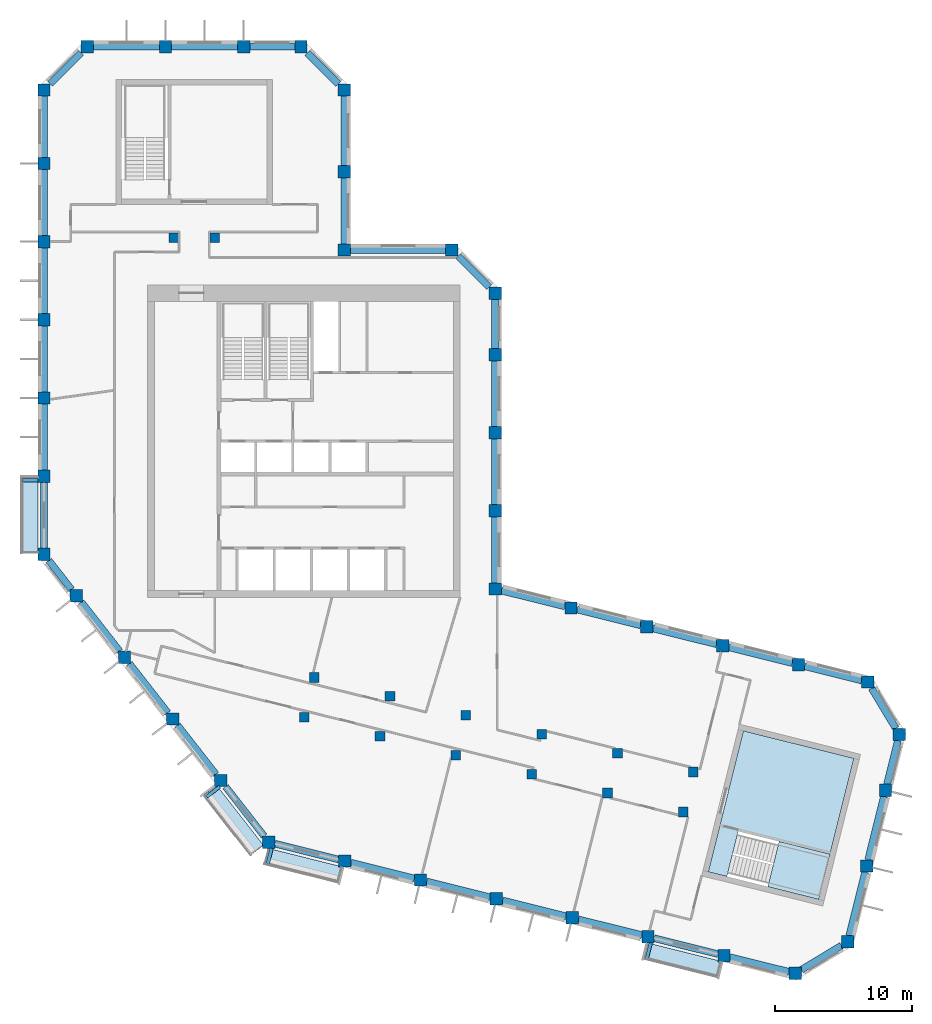
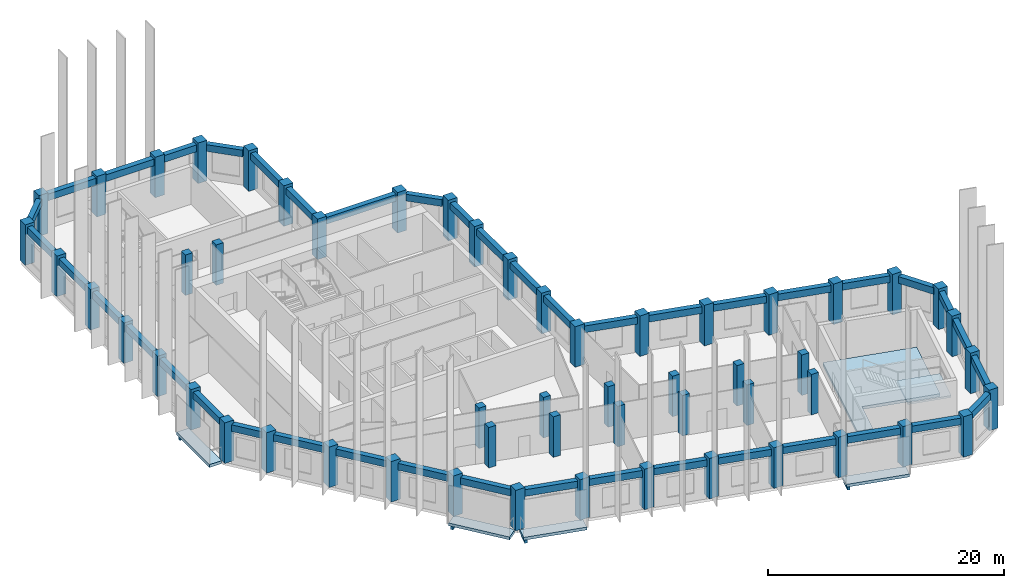
# One storey, part 1 of 8: 55 columns, 45 beams, 6 slabs, 1 element without a shape of its own.
"""IFC4 building model written with IfcOpenShell, lengths in metres."""

from ifc_helpers import new_model, si_unit, direction, frame, origin, origin_2d, place, context, subcontext, project, spatial, polyline, rectangle, outline, extrude, material, layer, layer_set, material_profile, profile_set, type_object, element, aggregate, save


model = new_model("IFC4")

# Units and contexts
model_context = context("Model", 3, precision=1e-05, world=origin(), true_north=direction((0.0, 1.0)))
body_context = subcontext(model_context, "Body", "Model", "MODEL_VIEW")
ifc_project = project(units=[si_unit("LENGTHUNIT", "METRE"), si_unit("AREAUNIT", "SQUARE_METRE"), si_unit("VOLUMEUNIT", "CUBIC_METRE"), si_unit("PLANEANGLEUNIT", "RADIAN"), si_unit("MASSUNIT", "GRAM", prefix="KILO")], contexts=[model_context])

# Site, building, storey
site_placement = place(None, origin())
site = spatial("IfcSite", under=ifc_project, at=site_placement, CompositionType="ELEMENT")
building_placement = place(site_placement, origin())
building = spatial("IfcBuilding", under=site, at=building_placement, Name="Meshkara Civic Tower", CompositionType="ELEMENT")
storey_placement = place(building_placement, frame((0.0, 0.0, 354.0)))
storey = spatial("IfcBuildingStorey", under=building, at=storey_placement, Name="L81", CompositionType="ELEMENT", Elevation=354.0)

# Columns
ifc_material_1 = material(Name="Concrete C50", Category="concrete")
ifc_material_profile_1 = material_profile(ifc_material_1, rectangle(XDim=0.699951171875, YDim=0.699951171875, at=origin_2d()))
ifc_profile_set_1 = profile_set([ifc_material_profile_1], Name="Concrete C50")
column_type_1 = type_object("IfcColumnType", Name="Interior column RC 700x700 C50", PredefinedType="COLUMN", material=ifc_profile_set_1)
for number, where, z_axis, x_axis, name in (
    (1, (9.89990234375, 40.35009765625, 0.0), (0.0, 0.0, 1.0), (1.0, 0.0, 0.0), "Column SA1-04 L81"),
    (2, (12.89990234375, 40.35009765625, 0.0), (0.0, 0.0, 1.0), (1.0, 0.0, 0.0), "Column SA2-04 L81"),
    (3, (19.424072265625, 5.360107421875, 0.0), (0.0, 0.0, 1.0), (1.0, 0.0, 0.0), "Column SB1-00 L81"),
    (4, (24.9541015625, 3.98095703125, 0.0), (0.0, 0.0, 1.0), (1.0, 0.0, 0.0), "Column SB1-01 L81"),
    (5, (30.485107421875, 2.60205078125, 0.0), (0.0, 0.0, 1.0), (1.0, 0.0, 0.0), "Column SB1-02 L81"),
    (6, (36.01611328125, 1.222900390625, 0.0), (0.0, 0.0, 1.0), (1.0, 0.0, 0.0), "Column SB1-03 L81"),
    (7, (41.5458984375, -0.156005859375, 0.0), (0.0, 0.0, 1.0), (1.0, 0.0, 0.0), "Column SB1-04 L81"),
    (8, (47.076904296875, -1.534912109375, 0.0), (0.0, 0.0, 1.0), (1.0, 0.0, 0.0), "Column SB1-05 L81"),
    (9, (20.14892578125, 8.27099609375, 0.0), (0.0, 0.0, 1.0), (1.0, 0.0, 0.0), "Column SB2-00 L81"),
    (10, (25.679931640625, 6.89208984375, 0.0), (0.0, 0.0, 1.0), (1.0, 0.0, 0.0), "Column SB2-01 L81"),
    (11, (31.2109375, 5.512939453125, 0.0), (0.0, 0.0, 1.0), (1.0, 0.0, 0.0), "Column SB2-02 L81"),
    (12, (36.741943359375, 4.134033203125, 0.0), (0.0, 0.0, 1.0), (1.0, 0.0, 0.0), "Column SB2-03 L81"),
    (13, (42.27197265625, 2.7548828125, 0.0), (0.0, 0.0, 1.0), (1.0, 0.0, 0.0), "Column SB2-04 L81"),
    (14, (47.802978515625, 1.3759765625, 0.0), (0.0, 0.0, 1.0), (1.0, 0.0, 0.0), "Column SB2-05 L81"),
):
    element("IfcColumn", number, at=place(storey_placement, frame(where, z_axis=z_axis, x_axis=x_axis)), inside=storey, type_object=column_type_1, Name=name, PredefinedType="COLUMN", context=body_context, shape_type="SweptSolid", body=[
        extrude(rectangle(XDim=0.699951171875, YDim=0.699951171875, at=origin_2d()), origin(), (0.0, 0.0, 1.0), 4.199951171875),
    ])
ifc_material_2 = material(Name="Concrete C50", Category="concrete")
ifc_material_profile_2 = material_profile(ifc_material_2, rectangle(XDim=0.89990234375, YDim=0.89990234375, at=origin_2d()))
ifc_profile_set_2 = profile_set([ifc_material_profile_2], Name="Concrete C50")
column_type_2 = type_object("IfcColumnType", Name="Perimeter column RC 900x900 C50", PredefinedType="COLUMN", material=ifc_profile_set_2)
for number, where, z_axis, x_axis, name in (
    (15, (33.35009765625, 14.718994140625, 0.0), (0.0, 0.0, 1.0), (1.0, 0.0, 0.0), "Column HE00 L81"),
    (16, (33.35009765625, 20.4189453125, 0.0), (0.0, 0.0, 1.0), (1.0, 0.0, 0.0), "Column HE01 L81"),
    (17, (33.35009765625, 26.118896484375, 0.0), (0.0, 0.0, 1.0), (1.0, 0.0, 0.0), "Column HE02 L81"),
    (18, (33.35009765625, 31.819091796875, 0.0), (0.0, 0.0, 1.0), (1.0, 0.0, 0.0), "Column HE03 L81"),
    (19, (33.35009765625, 36.2939453125, 0.0), (0.0, 0.0, 1.0), (1.0, 0.0, 0.0), "Column HEE L81"),
    (20, (30.194091796875, 39.449951171875, 0.0), (0.0, 0.0, 1.0), (1.0, 0.0, 0.0), "Column HCeE L81"),
    (21, (22.35009765625, 39.449951171875, 0.0), (0.0, 0.0, 1.0), (1.0, 0.0, 0.0), "Column HN00 L81"),
    (22, (22.35009765625, 45.14990234375, 0.0), (0.0, 0.0, 1.0), (1.0, 0.0, 0.0), "Column AE01 L81"),
    (23, (22.35009765625, 51.114013671875, 0.0), (0.0, 0.0, 1.0), (1.0, 0.0, 0.0), "Column AEEP5 L81"),
    (24, (19.194091796875, 54.27001953125, 0.0), (0.0, 0.0, 1.0), (1.0, 0.0, 0.0), "Column ATiEP5 L81"),
    (25, (3.60595703125, 54.27001953125, 0.0), (0.0, 0.0, 1.0), (1.0, 0.0, 0.0), "Column AT00-P5 L81"),
    (26, (9.305908203125, 54.27001953125, 0.0), (0.0, 0.0, 1.0), (1.0, 0.0, 0.0), "Column AT01-P5 L81"),
    (27, (15.006103515625, 54.27001953125, 0.0), (0.0, 0.0, 1.0), (1.0, 0.0, 0.0), "Column AT02-P5 L81"),
    (28, (0.449951171875, 51.114013671875, 0.0), (0.0, 0.0, 1.0), (1.0, 0.0, 0.0), "Column ATo00-P5 L81"),
    (29, (0.449951171875, 17.2548828125, 0.0), (0.0, 0.0, 1.0), (1.0, 0.0, 0.0), "Column AW00 L81"),
    (30, (0.449951171875, 22.955078125, 0.0), (0.0, 0.0, 1.0), (1.0, 0.0, 0.0), "Column AW01 L81"),
    (31, (0.449951171875, 28.655029296875, 0.0), (0.0, 0.0, 1.0), (1.0, 0.0, 0.0), "Column AW02 L81"),
    (32, (0.449951171875, 34.35498046875, 0.0), (0.0, 0.0, 1.0), (1.0, 0.0, 0.0), "Column AW03 L81"),
    (33, (0.449951171875, 40.054931640625, 0.0), (0.0, 0.0, 1.0), (1.0, 0.0, 0.0), "Column AW04 L81"),
    (34, (0.449951171875, 45.7548828125, 0.0), (0.0, 0.0, 1.0), (1.0, 0.0, 0.0), "Column AW05 L81"),
    (35, (16.85107421875, -3.738037109375, 0.0), (0.0, 0.0, 1.0), (1.0, 0.0, 0.0), "Column BOW00 L81"),
    (36, (13.342041015625, 0.75390625, 0.0), (0.0, 0.0, 1.0), (1.0, 0.0, 0.0), "Column BOW01 L81"),
    (37, (9.8330078125, 5.2451171875, 0.0), (0.0, 0.0, 1.0), (1.0, 0.0, 0.0), "Column BOW02 L81"),
    (38, (6.322998046875, 9.737060546875, 0.0), (0.0, 0.0, 1.0), (1.0, 0.0, 0.0), "Column BOW03 L81"),
    (39, (2.81396484375, 14.22900390625, 0.0), (0.0, 0.0, 1.0), (1.0, 0.0, 0.0), "Column BOW04 L81"),
    (40, (22.382080078125, -5.116943359375, 0.0), (0.0, 0.0, 1.0), (1.0, 0.0, 0.0), "Column BS01 L81"),
    (41, (27.912109375, -6.49609375, 0.0), (0.0, 0.0, 1.0), (1.0, 0.0, 0.0), "Column BS02 L81"),
    (42, (33.443115234375, -7.875, 0.0), (0.0, 0.0, 1.0), (1.0, 0.0, 0.0), "Column BS03 L81"),
    (43, (38.97412109375, -9.25390625, 0.0), (0.0, 0.0, 1.0), (1.0, 0.0, 0.0), "Column BS04 L81"),
    (44, (44.50390625, -10.633056640625, 0.0), (0.0, 0.0, 1.0), (1.0, 0.0, 0.0), "Column BS05-P4 L81"),
    (45, (50.034912109375, -12.011962890625, 0.0), (0.0, 0.0, 1.0), (1.0, 0.0, 0.0), "Column BS06-P4 L81"),
    (46, (55.235107421875, -13.30810546875, 0.0), (0.0, 0.0, 1.0), (1.0, 0.0, 0.0), "Column BSEP5 L81"),
    (47, (59.06103515625, -11.009033203125, 0.0), (0.0, 0.0, 1.0), (1.0, 0.0, 0.0), "Column BToEP5 L81"),
    (48, (60.43994140625, -5.47802734375, 0.0), (0.0, 0.0, 1.0), (1.0, 0.0, 0.0), "Column BT01-P5 L81"),
    (49, (61.819091796875, 0.052001953125, 0.0), (0.0, 0.0, 1.0), (1.0, 0.0, 0.0), "Column BT02-P5 L81"),
    (50, (62.83203125, 4.114990234375, 0.0), (0.0, 0.0, 1.0), (1.0, 0.0, 0.0), "Column BTEP5 L81"),
    (51, (60.532958984375, 7.94091796875, 0.0), (0.0, 0.0, 1.0), (1.0, 0.0, 0.0), "Column BTi00-P5 L81"),
    (52, (38.881103515625, 13.340087890625, 0.0), (0.0, 0.0, 1.0), (1.0, 0.0, 0.0), "Column BN01 L81"),
    (53, (44.410888671875, 11.9609375, 0.0), (0.0, 0.0, 1.0), (1.0, 0.0, 0.0), "Column BN02 L81"),
    (54, (49.94189453125, 10.58203125, 0.0), (0.0, 0.0, 1.0), (1.0, 0.0, 0.0), "Column BN03 L81"),
    (55, (55.472900390625, 9.202880859375, 0.0), (0.0, 0.0, 1.0), (1.0, 0.0, 0.0), "Column BN04 L81"),
):
    element("IfcColumn", number, at=place(storey_placement, frame(where, z_axis=z_axis, x_axis=x_axis)), inside=storey, type_object=column_type_2, Name=name, PredefinedType="COLUMN", context=body_context, shape_type="SweptSolid", body=[
        extrude(rectangle(XDim=0.89990234375, YDim=0.89990234375, at=origin_2d()), origin(), (0.0, 0.0, 1.0), 4.199951171875),
    ])

# Beams
ifc_material_3 = material(Name="Concrete C50", Category="concrete")
ifc_material_profile_3 = material_profile(ifc_material_3, rectangle(XDim=0.25, YDim=0.39990234375, at=origin_2d()))
ifc_profile_set_3 = profile_set([ifc_material_profile_3], Name="Concrete C50")
beam_type_1 = type_object("IfcBeamType", Name="Balcony bracket beam RC 250x400 C50", PredefinedType="BEAM", material=ifc_profile_set_3)
beam_1_placement = place(storey_placement, frame((0.0048828125, 22.655029296875, -0.5), z_axis=(-1.0, 0.0, 0.0), x_axis=(0.0, -1.0, 0.0)))
element("IfcBeam", 56, at=beam_1_placement, inside=storey, type_object=beam_type_1, Name="Balcony bracket beam", PredefinedType="BEAM", context=body_context, shape_type="SweptSolid", body=[
    extrude(rectangle(XDim=0.25, YDim=0.39990234375, at=origin_2d()), origin(), (0.0, 0.0, 1.0), 1.10498046875),
])
beam_2_placement = place(storey_placement, frame((13.257080078125, 0.306884765625, -0.5), z_axis=(-0.788012120422, -0.615659725878, 0.0), x_axis=(0.615659725878, -0.788012120422, 0.0)))
element("IfcBeam", 57, at=beam_2_placement, inside=storey, type_object=beam_type_1, Name="Balcony bracket beam", PredefinedType="BEAM", context=body_context, shape_type="SweptSolid", body=[
    extrude(rectangle(XDim=0.25, YDim=0.39990234375, at=origin_2d()), origin(), (0.0, 0.0, 1.0), 1.208251953125),
])
beam_3_placement = place(storey_placement, frame((17.049072265625, -4.18310546875, -0.5), z_axis=(-0.241944119929, -0.970290184858, 0.0), x_axis=(0.970290184858, -0.241944119929, 0.0)))
element("IfcBeam", 58, at=beam_3_placement, inside=storey, type_object=beam_type_1, Name="Balcony bracket beam", PredefinedType="BEAM", context=body_context, shape_type="SweptSolid", body=[
    extrude(rectangle(XDim=0.25, YDim=0.39990234375, at=origin_2d()), origin(), (0.0, 0.0, 1.0), 1.16552734375),
])
beam_4_placement = place(storey_placement, frame((44.701904296875, -11.077880859375, -0.5), z_axis=(-0.241894953997, -0.970302443175, 0.0), x_axis=(0.970302443175, -0.241894953997, 0.0)))
element("IfcBeam", 59, at=beam_4_placement, inside=storey, type_object=beam_type_1, Name="Balcony bracket beam", PredefinedType="BEAM", context=body_context, shape_type="SweptSolid", body=[
    extrude(rectangle(XDim=0.25, YDim=0.39990234375, at=origin_2d()), origin(), (0.0, 0.0, 1.0), 1.165771484375),
])
ifc_material_4 = material(Name="Concrete C50", Category="concrete")
ifc_material_profile_4 = material_profile(ifc_material_4, rectangle(XDim=0.5, YDim=0.699951171875, at=origin_2d()))
ifc_profile_set_4 = profile_set([ifc_material_profile_4], Name="Concrete C50")
beam_type_2 = type_object("IfcBeamType", Name="Spandrel beam RC 500x700 C50", PredefinedType="BEAM", material=ifc_profile_set_4)
for number, where, z_axis, x_axis, name in (
    (60, (55.02783203125, 9.31396484375, 3.550048828125), (-0.970298442389, 0.241911001604, 0.0), (-0.241911001604, -0.970298442389, 0.0), "Spandrel beam BN03-BN04"),
    (61, (49.496826171875, 10.693115234375, 3.550048828125), (-0.970298442389, 0.241911001604, 0.0), (-0.241911001604, -0.970298442389, 0.0), "Spandrel beam BN02-BN03"),
):
    element("IfcBeam", number, at=place(storey_placement, frame(where, z_axis=z_axis, x_axis=x_axis)), inside=storey, type_object=beam_type_2, Name=name, PredefinedType="BEAM", context=body_context, shape_type="SweptSolid", body=[
        extrude(rectangle(XDim=0.5, YDim=0.699951171875, at=origin_2d()), origin(), (0.0, 0.0, 1.0), 4.78271484375),
    ])
beam_5_placement = place(storey_placement, frame((43.9658203125, 12.072021484375, 3.550048828125), z_axis=(-0.970286489601, 0.241958938867, 0.0), x_axis=(-0.241958938867, -0.970286489601, 0.0)))
element("IfcBeam", 62, at=beam_5_placement, inside=storey, type_object=beam_type_2, Name="Spandrel beam BN01-BN02", PredefinedType="BEAM", context=body_context, shape_type="SweptSolid", body=[
    extrude(rectangle(XDim=0.5, YDim=0.699951171875, at=origin_2d()), origin(), (0.0, 0.0, 1.0), 4.78173828125),
])
beam_6_placement = place(storey_placement, frame((38.435791015625, 13.450927734375, 3.550048828125), z_axis=(-0.970298442389, 0.241911001604, 0.0), x_axis=(-0.241911001604, -0.970298442389, 0.0)))
element("IfcBeam", 63, at=beam_6_placement, inside=storey, type_object=beam_type_2, Name="Spandrel beam BN01-HE00", PredefinedType="BEAM", context=body_context, shape_type="SweptSolid", body=[
    extrude(rectangle(XDim=0.5, YDim=0.699951171875, at=origin_2d()), origin(), (0.0, 0.0, 1.0), 4.78271484375),
])
for number, where, z_axis, x_axis, name in (
    (64, (33.35009765625, 15.1640625, 3.550048828125), (0.0, 1.0, 0.0), (-1.0, 0.0, 0.0), "Spandrel beam HE00-HE01"),
    (65, (33.35009765625, 20.864013671875, 3.550048828125), (0.0, 1.0, 0.0), (-1.0, 0.0, 0.0), "Spandrel beam HE01-HE02"),
    (66, (33.35009765625, 26.56396484375, 3.550048828125), (0.0, 1.0, 0.0), (-1.0, 0.0, 0.0), "Spandrel beam HE02-HE03"),
):
    element("IfcBeam", number, at=place(storey_placement, frame(where, z_axis=z_axis, x_axis=x_axis)), inside=storey, type_object=beam_type_2, Name=name, PredefinedType="BEAM", context=body_context, shape_type="SweptSolid", body=[
        extrude(rectangle(XDim=0.5, YDim=0.699951171875, at=origin_2d()), origin(), (0.0, 0.0, 1.0), 4.81005859375),
    ])
beam_7_placement = place(storey_placement, frame((33.35009765625, 32.263916015625, 3.550048828125), z_axis=(0.0, 1.0, 0.0), x_axis=(-1.0, 0.0, 0.0)))
element("IfcBeam", 67, at=beam_7_placement, inside=storey, type_object=beam_type_2, Name="Spandrel beam HE03-HEE", PredefinedType="BEAM", context=body_context, shape_type="SweptSolid", body=[
    extrude(rectangle(XDim=0.5, YDim=0.699951171875, at=origin_2d()), origin(), (0.0, 0.0, 1.0), 3.585205078125),
])
beam_8_placement = place(storey_placement, frame((32.903564453125, 36.740478515625, 3.550048828125), z_axis=(-0.707144921739, 0.707068638576, 0.0), x_axis=(-0.707068638576, -0.707144921739, 0.0)))
element("IfcBeam", 68, at=beam_8_placement, inside=storey, type_object=beam_type_2, Name="Spandrel beam HCeE-HEE", PredefinedType="BEAM", context=body_context, shape_type="SweptSolid", body=[
    extrude(rectangle(XDim=0.5, YDim=0.699951171875, at=origin_2d()), origin(), (0.0, 0.0, 1.0), 3.200439453125),
])
beam_9_placement = place(storey_placement, frame((29.7490234375, 39.449951171875, 3.550048828125), z_axis=(-1.0, 0.0, 0.0), x_axis=(0.0, -1.0, 0.0)))
element("IfcBeam", 69, at=beam_9_placement, inside=storey, type_object=beam_type_2, Name="Spandrel beam HCeE-HN00", PredefinedType="BEAM", context=body_context, shape_type="SweptSolid", body=[
    extrude(rectangle(XDim=0.5, YDim=0.699951171875, at=origin_2d()), origin(), (0.0, 0.0, 1.0), 6.9541015625),
])
beam_10_placement = place(storey_placement, frame((22.35009765625, 39.89501953125, 3.550048828125), z_axis=(0.0, 1.0, 0.0), x_axis=(-1.0, 0.0, 0.0)))
element("IfcBeam", 70, at=beam_10_placement, inside=storey, type_object=beam_type_2, Name="Spandrel beam AE01-HN00", PredefinedType="BEAM", context=body_context, shape_type="SweptSolid", body=[
    extrude(rectangle(XDim=0.5, YDim=0.699951171875, at=origin_2d()), origin(), (0.0, 0.0, 1.0), 4.81005859375),
])
beam_11_placement = place(storey_placement, frame((22.35009765625, 45.594970703125, 3.550048828125), z_axis=(0.0, 1.0, 0.0), x_axis=(-1.0, 0.0, 0.0)))
element("IfcBeam", 71, at=beam_11_placement, inside=storey, type_object=beam_type_2, Name="Spandrel beam AE01-AEEP5", PredefinedType="BEAM", context=body_context, shape_type="SweptSolid", body=[
    extrude(rectangle(XDim=0.5, YDim=0.699951171875, at=origin_2d()), origin(), (0.0, 0.0, 1.0), 5.073974609375),
])
beam_12_placement = place(storey_placement, frame((21.903564453125, 51.560546875, 3.550048828125), z_axis=(-0.707144921739, 0.707068638576, 0.0), x_axis=(-0.707068638576, -0.707144921739, 0.0)))
element("IfcBeam", 72, at=beam_12_placement, inside=storey, type_object=beam_type_2, Name="Spandrel beam AEEP5-ATiEP5", PredefinedType="BEAM", context=body_context, shape_type="SweptSolid", body=[
    extrude(rectangle(XDim=0.5, YDim=0.699951171875, at=origin_2d()), origin(), (0.0, 0.0, 1.0), 3.200439453125),
])
beam_13_placement = place(storey_placement, frame((18.7490234375, 54.27001953125, 3.550048828125), z_axis=(-1.0, 0.0, 0.0), x_axis=(0.0, -1.0, 0.0)))
element("IfcBeam", 73, at=beam_13_placement, inside=storey, type_object=beam_type_2, Name="Spandrel beam AT02-P5-ATiEP5", PredefinedType="BEAM", context=body_context, shape_type="SweptSolid", body=[
    extrude(rectangle(XDim=0.5, YDim=0.699951171875, at=origin_2d()), origin(), (0.0, 0.0, 1.0), 3.298095703125),
])
for number, where, z_axis, x_axis, name in (
    (74, (14.56103515625, 54.27001953125, 3.550048828125), (-1.0, 0.0, 0.0), (0.0, -1.0, 0.0), "Spandrel beam AT01-P5-AT02-P5"),
    (75, (8.861083984375, 54.27001953125, 3.550048828125), (-1.0, 0.0, 0.0), (0.0, -1.0, 0.0), "Spandrel beam AT00-P5-AT01-P5"),
):
    element("IfcBeam", number, at=place(storey_placement, frame(where, z_axis=z_axis, x_axis=x_axis)), inside=storey, type_object=beam_type_2, Name=name, PredefinedType="BEAM", context=body_context, shape_type="SweptSolid", body=[
        extrude(rectangle(XDim=0.5, YDim=0.699951171875, at=origin_2d()), origin(), (0.0, 0.0, 1.0), 4.81005859375),
    ])
beam_14_placement = place(storey_placement, frame((3.159423828125, 53.823486328125, 3.550048828125), z_axis=(-0.707106781187, -0.707106781187, 0.0), x_axis=(0.707106781187, -0.707106781187, 0.0)))
element("IfcBeam", 76, at=beam_14_placement, inside=storey, type_object=beam_type_2, Name="Spandrel beam AT00-P5-ATo00-P5", PredefinedType="BEAM", context=body_context, shape_type="SweptSolid", body=[
    extrude(rectangle(XDim=0.5, YDim=0.699951171875, at=origin_2d()), origin(), (0.0, 0.0, 1.0), 3.2001953125),
])
beam_15_placement = place(storey_placement, frame((0.449951171875, 50.6689453125, 3.550048828125), z_axis=(0.0, -1.0, 0.0), x_axis=(1.0, 0.0, 0.0)))
element("IfcBeam", 77, at=beam_15_placement, inside=storey, type_object=beam_type_2, Name="Spandrel beam ATo00-P5-AW05", PredefinedType="BEAM", context=body_context, shape_type="SweptSolid", body=[
    extrude(rectangle(XDim=0.5, YDim=0.699951171875, at=origin_2d()), origin(), (0.0, 0.0, 1.0), 4.468994140625),
])
for number, where, z_axis, x_axis, name in (
    (78, (0.449951171875, 45.31005859375, 3.550048828125), (0.0, -1.0, 0.0), (1.0, 0.0, 0.0), "Spandrel beam AW04-AW05"),
    (79, (0.449951171875, 39.610107421875, 3.550048828125), (0.0, -1.0, 0.0), (1.0, 0.0, 0.0), "Spandrel beam AW03-AW04"),
):
    element("IfcBeam", number, at=place(storey_placement, frame(where, z_axis=z_axis, x_axis=x_axis)), inside=storey, type_object=beam_type_2, Name=name, PredefinedType="BEAM", context=body_context, shape_type="SweptSolid", body=[
        extrude(rectangle(XDim=0.5, YDim=0.699951171875, at=origin_2d()), origin(), (0.0, 0.0, 1.0), 4.81005859375),
    ])
beam_16_placement = place(storey_placement, frame((0.449951171875, 33.909912109375, 3.550048828125), z_axis=(0.0, -1.0, 0.0), x_axis=(1.0, 0.0, 0.0)))
element("IfcBeam", 80, at=beam_16_placement, inside=storey, type_object=beam_type_2, Name="Spandrel beam AW02-AW03", PredefinedType="BEAM", context=body_context, shape_type="SweptSolid", body=[
    extrude(rectangle(XDim=0.5, YDim=0.699951171875, at=origin_2d()), origin(), (0.0, 0.0, 1.0), 4.809814453125),
])
for number, where, z_axis, x_axis, name in (
    (81, (0.449951171875, 28.2099609375, 3.550048828125), (0.0, -1.0, 0.0), (1.0, 0.0, 0.0), "Spandrel beam AW01-AW02"),
    (82, (0.449951171875, 22.510009765625, 3.550048828125), (0.0, -1.0, 0.0), (1.0, 0.0, 0.0), "Spandrel beam AW00-AW01"),
):
    element("IfcBeam", number, at=place(storey_placement, frame(where, z_axis=z_axis, x_axis=x_axis)), inside=storey, type_object=beam_type_2, Name=name, PredefinedType="BEAM", context=body_context, shape_type="SweptSolid", body=[
        extrude(rectangle(XDim=0.5, YDim=0.699951171875, at=origin_2d()), origin(), (0.0, 0.0, 1.0), 4.81005859375),
    ])
beam_17_placement = place(storey_placement, frame((0.798583984375, 16.808837890625, 3.550048828125), z_axis=(0.615637043197, -0.788029841468, 0.0), x_axis=(0.788029841468, 0.615637043197, 0.0)))
element("IfcBeam", 83, at=beam_17_placement, inside=storey, type_object=beam_type_2, Name="Spandrel beam AW00-BOW04", PredefinedType="BEAM", context=body_context, shape_type="SweptSolid", body=[
    extrude(rectangle(XDim=0.5, YDim=0.699951171875, at=origin_2d()), origin(), (0.0, 0.0, 1.0), 2.707763671875),
])
beam_18_placement = place(storey_placement, frame((3.162353515625, 13.782958984375, 3.550048828125), z_axis=(0.615626410665, -0.788038147865, 0.0), x_axis=(0.788038147865, 0.615626410665, 0.0)))
element("IfcBeam", 84, at=beam_18_placement, inside=storey, type_object=beam_type_2, Name="Spandrel beam BOW03-BOW04", PredefinedType="BEAM", context=body_context, shape_type="SweptSolid", body=[
    extrude(rectangle(XDim=0.5, YDim=0.699951171875, at=origin_2d()), origin(), (0.0, 0.0, 1.0), 4.568115234375),
])
beam_19_placement = place(storey_placement, frame((6.67138671875, 9.291015625, 3.550048828125), z_axis=(0.615759141311, -0.787934438829, 0.0), x_axis=(0.787934438829, 0.615759141311, 0.0)))
element("IfcBeam", 85, at=beam_19_placement, inside=storey, type_object=beam_type_2, Name="Spandrel beam BOW02-BOW03", PredefinedType="BEAM", context=body_context, shape_type="SweptSolid", body=[
    extrude(rectangle(XDim=0.5, YDim=0.699951171875, at=origin_2d()), origin(), (0.0, 0.0, 1.0), 4.568603515625),
])
beam_20_placement = place(storey_placement, frame((10.181396484375, 4.798828125, 3.550048828125), z_axis=(0.615722879711, -0.78796277539, 0.0), x_axis=(0.78796277539, 0.615722879711, 0.0)))
element("IfcBeam", 86, at=beam_20_placement, inside=storey, type_object=beam_type_2, Name="Spandrel beam BOW01-BOW02", PredefinedType="BEAM", context=body_context, shape_type="SweptSolid", body=[
    extrude(rectangle(XDim=0.5, YDim=0.699951171875, at=origin_2d()), origin(), (0.0, 0.0, 1.0), 4.56689453125),
])
beam_21_placement = place(storey_placement, frame((13.6904296875, 0.307861328125, 3.550048828125), z_axis=(0.615626410665, -0.788038147865, 0.0), x_axis=(0.788038147865, 0.615626410665, 0.0)))
element("IfcBeam", 87, at=beam_21_placement, inside=storey, type_object=beam_type_2, Name="Spandrel beam BOW00-BOW01", PredefinedType="BEAM", context=body_context, shape_type="SweptSolid", body=[
    extrude(rectangle(XDim=0.5, YDim=0.699951171875, at=origin_2d()), origin(), (0.0, 0.0, 1.0), 4.568115234375),
])
beam_22_placement = place(storey_placement, frame((17.296142578125, -3.84912109375, 3.550048828125), z_axis=(0.970301429476, -0.241899020164, 0.0), x_axis=(0.241899020164, 0.970301429476, 0.0)))
element("IfcBeam", 88, at=beam_22_placement, inside=storey, type_object=beam_type_2, Name="Spandrel beam BOW00-BS01", PredefinedType="BEAM", context=body_context, shape_type="SweptSolid", body=[
    extrude(rectangle(XDim=0.5, YDim=0.699951171875, at=origin_2d()), origin(), (0.0, 0.0, 1.0), 4.782958984375),
])
beam_23_placement = place(storey_placement, frame((22.8271484375, -5.22802734375, 3.550048828125), z_axis=(0.970286489601, -0.241958938867, 0.0), x_axis=(0.241958938867, 0.970286489601, 0.0)))
element("IfcBeam", 89, at=beam_23_placement, inside=storey, type_object=beam_type_2, Name="Spandrel beam BS01-BS02", PredefinedType="BEAM", context=body_context, shape_type="SweptSolid", body=[
    extrude(rectangle(XDim=0.5, YDim=0.699951171875, at=origin_2d()), origin(), (0.0, 0.0, 1.0), 4.78173828125),
])
for number, where, z_axis, x_axis, name in (
    (90, (28.357177734375, -6.60693359375, 3.550048828125), (0.970298442389, -0.241911001604, 0.0), (0.241911001604, 0.970298442389, 0.0), "Spandrel beam BS02-BS03"),
    (91, (33.88818359375, -7.986083984375, 3.550048828125), (0.970298442389, -0.241911001604, 0.0), (0.241911001604, 0.970298442389, 0.0), "Spandrel beam BS03-BS04"),
):
    element("IfcBeam", number, at=place(storey_placement, frame(where, z_axis=z_axis, x_axis=x_axis)), inside=storey, type_object=beam_type_2, Name=name, PredefinedType="BEAM", context=body_context, shape_type="SweptSolid", body=[
        extrude(rectangle(XDim=0.5, YDim=0.699951171875, at=origin_2d()), origin(), (0.0, 0.0, 1.0), 4.78271484375),
    ])
beam_24_placement = place(storey_placement, frame((39.419189453125, -9.364990234375, 3.550048828125), z_axis=(0.970286489601, -0.241958938867, 0.0), x_axis=(0.241958938867, 0.970286489601, 0.0)))
element("IfcBeam", 92, at=beam_24_placement, inside=storey, type_object=beam_type_2, Name="Spandrel beam BS04-BS05-P4", PredefinedType="BEAM", context=body_context, shape_type="SweptSolid", body=[
    extrude(rectangle(XDim=0.5, YDim=0.699951171875, at=origin_2d()), origin(), (0.0, 0.0, 1.0), 4.78173828125),
])
beam_25_placement = place(storey_placement, frame((44.94921875, -10.743896484375, 3.550048828125), z_axis=(0.970298442389, -0.241911001604, 0.0), x_axis=(0.241911001604, 0.970298442389, 0.0)))
element("IfcBeam", 93, at=beam_25_placement, inside=storey, type_object=beam_type_2, Name="Spandrel beam BS05-P4-BS06-P4", PredefinedType="BEAM", context=body_context, shape_type="SweptSolid", body=[
    extrude(rectangle(XDim=0.5, YDim=0.699951171875, at=origin_2d()), origin(), (0.0, 0.0, 1.0), 4.78271484375),
])
beam_26_placement = place(storey_placement, frame((50.47998046875, -12.122802734375, 3.550048828125), z_axis=(0.97031362237, -0.241850106975, 0.0), x_axis=(0.241850106975, 0.97031362237, 0.0)))
element("IfcBeam", 94, at=beam_26_placement, inside=storey, type_object=beam_type_2, Name="Spandrel beam BS06-P4-BSEP5", PredefinedType="BEAM", context=body_context, shape_type="SweptSolid", body=[
    extrude(rectangle(XDim=0.5, YDim=0.699951171875, at=origin_2d()), origin(), (0.0, 0.0, 1.0), 4.441650390625),
])
beam_27_placement = place(storey_placement, frame((55.6806640625, -13.040283203125, 3.550048828125), z_axis=(0.857146668312, 0.515072411416, 0.0), x_axis=(-0.515072411416, 0.857146668312, 0.0)))
element("IfcBeam", 95, at=beam_27_placement, inside=storey, type_object=beam_type_2, Name="Spandrel beam BSEP5-BToEP5", PredefinedType="BEAM", context=body_context, shape_type="SweptSolid", body=[
    extrude(rectangle(XDim=0.5, YDim=0.699951171875, at=origin_2d()), origin(), (0.0, 0.0, 1.0), 3.423583984375),
])
beam_28_placement = place(storey_placement, frame((59.172119140625, -10.56396484375, 3.550048828125), z_axis=(0.241899020164, 0.970301429476, 0.0), x_axis=(-0.970301429476, 0.241899020164, 0.0)))
element("IfcBeam", 96, at=beam_28_placement, inside=storey, type_object=beam_type_2, Name="Spandrel beam BT01-P5-BToEP5", PredefinedType="BEAM", context=body_context, shape_type="SweptSolid", body=[
    extrude(rectangle(XDim=0.5, YDim=0.699951171875, at=origin_2d()), origin(), (0.0, 0.0, 1.0), 4.782958984375),
])
beam_29_placement = place(storey_placement, frame((60.551025390625, -5.032958984375, 3.550048828125), z_axis=(0.241946952825, 0.970289478464, 0.0), x_axis=(-0.970289478464, 0.241946952825, 0.0)))
element("IfcBeam", 97, at=beam_29_placement, inside=storey, type_object=beam_type_2, Name="Spandrel beam BT01-P5-BT02-P5", PredefinedType="BEAM", context=body_context, shape_type="SweptSolid", body=[
    extrude(rectangle(XDim=0.5, YDim=0.699951171875, at=origin_2d()), origin(), (0.0, 0.0, 1.0), 4.781982421875),
])
beam_30_placement = place(storey_placement, frame((61.929931640625, 0.4970703125, 3.550048828125), z_axis=(0.241903146974, 0.970300400641, 0.0), x_axis=(-0.970300400641, 0.241903146974, 0.0)))
element("IfcBeam", 98, at=beam_30_placement, inside=storey, type_object=beam_type_2, Name="Spandrel beam BT02-P5-BTEP5", PredefinedType="BEAM", context=body_context, shape_type="SweptSolid", body=[
    extrude(rectangle(XDim=0.5, YDim=0.699951171875, at=origin_2d()), origin(), (0.0, 0.0, 1.0), 3.27001953125),
])
beam_31_placement = place(storey_placement, frame((62.564208984375, 4.560791015625, 3.550048828125), z_axis=(-0.515072411416, 0.857146668312, 0.0), x_axis=(-0.857146668312, -0.515072411416, 0.0)))
element("IfcBeam", 99, at=beam_31_placement, inside=storey, type_object=beam_type_2, Name="Spandrel beam BTEP5-BTi00-P5", PredefinedType="BEAM", context=body_context, shape_type="SweptSolid", body=[
    extrude(rectangle(XDim=0.5, YDim=0.699951171875, at=origin_2d()), origin(), (0.0, 0.0, 1.0), 3.423583984375),
])
beam_32_placement = place(storey_placement, frame((60.087890625, 8.052001953125, 3.550048828125), z_axis=(-0.970272690872, 0.242014266826, 0.0), x_axis=(-0.242014266826, -0.970272690872, 0.0)))
element("IfcBeam", 100, at=beam_32_placement, inside=storey, type_object=beam_type_2, Name="Spandrel beam BN04-BTi00-P5", PredefinedType="BEAM", context=body_context, shape_type="SweptSolid", body=[
    extrude(rectangle(XDim=0.5, YDim=0.699951171875, at=origin_2d()), origin(), (0.0, 0.0, 1.0), 4.29736328125),
])

# Slabs
ifc_material_5 = material(Name="Concrete C40", Category="concrete")
ifc_layer_1 = layer(ifc_material_5, 0.300048828125)
ifc_layer_set_1 = layer_set([ifc_layer_1], Name="BALCONY SLAB")
slab_type_1 = type_object("IfcSlabType", Name="BALCONY SLAB", PredefinedType="FLOOR", material=ifc_layer_set_1)
slab_1_placement = place(storey_placement, frame((0.0, 0.0, -0.300048828125)))
element("IfcSlab", 101, at=slab_1_placement, inside=storey, type_object=slab_type_1, Name="Balcony slab", PredefinedType="FLOOR", context=body_context, shape_type="SweptSolid", body=[
    extrude(outline(polyline([(0.0, 17.705078125), (0.0, 17.31494140625), (-1.199951171875, 17.31494140625), (-1.199951171875, 22.89501953125), (0.0, 22.89501953125), (0.0, 22.5048828125), (0.0, 17.705078125)])), origin(), (0.0, 0.0, 1.0), 0.300048828125),
])
slab_2_placement = place(storey_placement, frame((0.0, 0.0, -0.300048828125)))
element("IfcSlab", 102, at=slab_2_placement, inside=storey, type_object=slab_type_1, Name="Balcony slab", PredefinedType="FLOOR", context=body_context, shape_type="SweptSolid", body=[
    extrude(outline(polyline([(15.513916015625, -4.7060546875), (12.0791015625, -0.30908203125), (12.89208984375, 0.325927734375), (12.89208984375, 0.303955078125), (13.1220703125, 0.303955078125), (16.40087890625, -3.89306640625), (16.40087890625, -4.012939453125), (15.513916015625, -4.7060546875)])), origin(), (0.0, 0.0, 1.0), 0.300048828125),
])
slab_3_placement = place(storey_placement, frame((0.0, 0.0, -0.300048828125)))
element("IfcSlab", 103, at=slab_3_placement, inside=storey, type_object=slab_type_1, Name="Balcony slab", PredefinedType="FLOOR", context=body_context, shape_type="SweptSolid", body=[
    extrude(outline(polyline([(21.925048828125, -6.702880859375), (16.510009765625, -5.35302734375), (16.800048828125, -4.18896484375), (21.931884765625, -5.468017578125), (21.931884765625, -5.56689453125), (22.2080078125, -5.56689453125), (21.925048828125, -6.702880859375)])), origin(), (0.0, 0.0, 1.0), 0.300048828125),
])
slab_4_placement = place(storey_placement, frame((0.0, 0.0, -0.300048828125)))
element("IfcSlab", 104, at=slab_4_placement, inside=storey, type_object=slab_type_1, Name="Balcony slab", PredefinedType="FLOOR", context=body_context, shape_type="SweptSolid", body=[
    extrude(outline(polyline([(49.577880859375, -13.597900390625), (44.1630859375, -12.248046875), (44.452880859375, -11.083984375), (49.5849609375, -12.363037109375), (49.5849609375, -12.4619140625), (49.861083984375, -12.4619140625), (49.577880859375, -13.597900390625)])), origin(), (0.0, 0.0, 1.0), 0.300048828125),
])
ifc_material_6 = material(Name="Concrete C40/50", Category="concrete")
ifc_layer_2 = layer(ifc_material_6, 0.300048828125)
ifc_layer_set_2 = layer_set([ifc_layer_2], Name="Core floor slab 300 C40/50")
slab_type_2 = type_object("IfcSlabType", Name="Core floor slab 300 C40/50", PredefinedType="FLOOR", material=ifc_layer_set_2)
slab_5_placement = place(storey_placement, frame((0.0, 0.0, -0.300048828125)))
element("IfcSlab", 105, at=slab_5_placement, inside=storey, type_object=slab_type_2, Name="Core floor EB", PredefinedType="FLOOR", context=body_context, shape_type="SweptSolid", body=[
    extrude(outline(polyline([(51.45849609375, 4.381103515625), (59.511962890625, 2.373291015625), (57.77001953125, -4.61279296875), (51.076416015625, -2.944091796875), (50.25390625, -6.242919921875), (48.89404296875, -5.90380859375), (51.45849609375, 4.381103515625)])), origin(), (0.0, 0.0, 1.0), 0.300048828125),
])

# Stair, slab
ifc_material_7 = material(Name="Precast concrete C40/50", Category="concrete")
stair_type = type_object("IfcStairType", Name="Exit stair half-turn 24 risers precast", PredefinedType="HALF_TURN_STAIR", material=ifc_material_7)
stair_placement = place(storey_placement, origin())
stair = element("IfcStair", 106, at=stair_placement, inside=storey, type_object=stair_type, Name="L81 exit stair B from L80", PredefinedType="HALF_TURN_STAIR")
ifc_material_8 = material(Name="Precast concrete C40/50", Category="concrete")
ifc_layer_3 = layer(ifc_material_8, 0.199951171875)
ifc_layer_set_3 = layer_set([ifc_layer_3], Name="Exit stair landing 200")
slab_type_3 = type_object("IfcSlabType", Name="Exit stair landing 200", PredefinedType="LANDING", material=ifc_layer_set_3)
slab_6_placement = place(storey_placement, frame((0.0, 0.0, 1.89990234375)))
slab_6 = element("IfcSlab", 107, at=slab_6_placement, type_object=slab_type_3, Name="ESB6 landing 1", PredefinedType="LANDING", context=body_context, shape_type="SweptSolid", body=[
    extrude(outline(polyline([(53.2392578125, -6.987548828125), (56.947998046875, -7.912109375), (57.7705078125, -4.612060546875), (54.0615234375, -3.687744140625), (53.2392578125, -6.987548828125)])), origin(), (0.0, 0.0, 1.0), 0.2001953125),
])
aggregate(stair, [slab_6])

save(model, "model.ifc")
